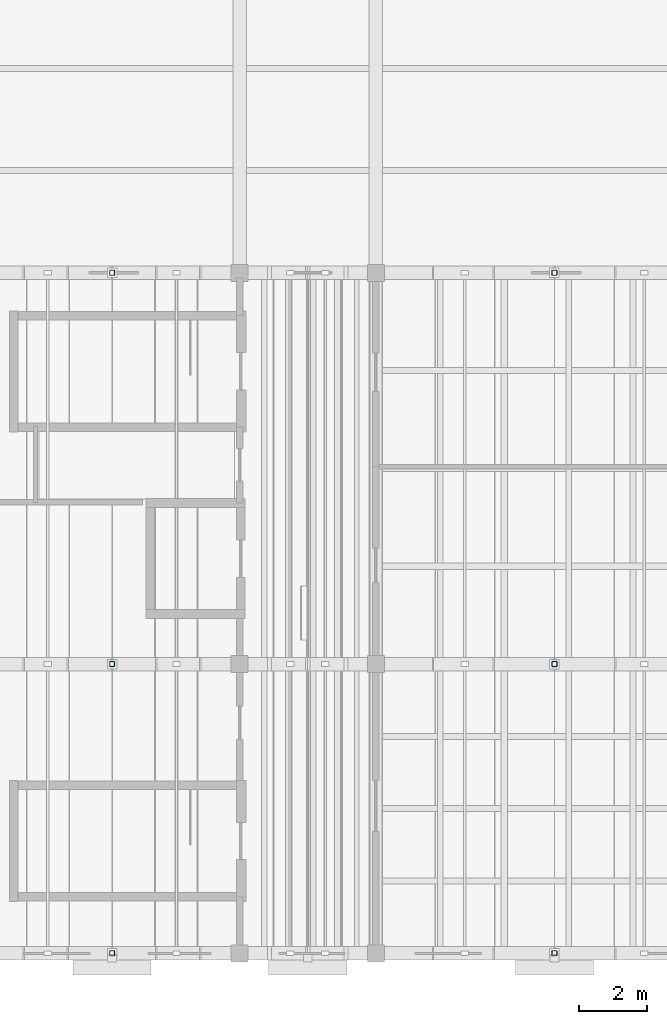
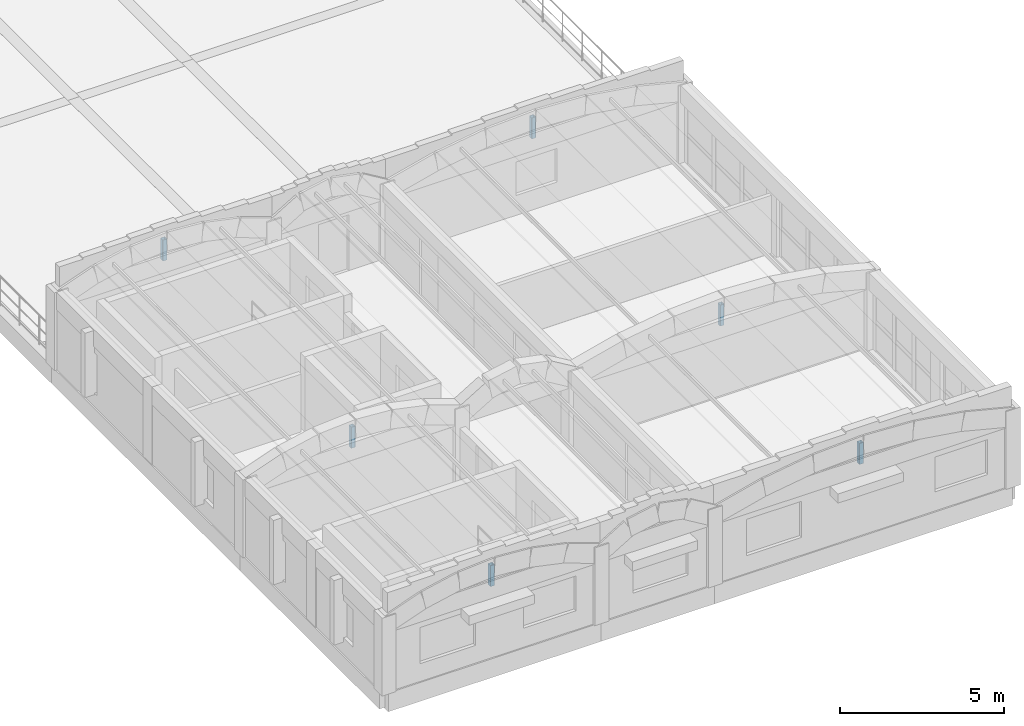
# One storey, part 18 of 40: 6 members.
"""IFC4 building model written with IfcOpenShell, lengths in metres."""

import ifcopenshell
import ifcopenshell.guid

model = None  # the IFC model being written
_history = None  # IfcOwnerHistory: only IFC2X3 demands one
_inside = {}  # id of a spatial element -> (the spatial element, [elements in it])
_under = {}  # id of a project, library or spatial element -> (it, [spatial elements below it])
_declared = {}  # id of a project -> (the project, [libraries it declares])
_typed = {}  # id of a type object -> (the type object, [elements of that type])
_made_of = {}  # id of a material, layer set ... -> (it, [elements and type objects made of it])


def new_model(schema):
    """Start an empty IFC model of exactly this schema.

    Asked for "IFC4X3", IfcOpenShell would pick the latest addendum, in which some entities
    have other attributes; the version numbers below select the first issue.
    IFC2X3 requires an IfcOwnerHistory on every rooted entity: one is made here for all.
    """
    global model, _history
    if schema == "IFC4X3":
        model = ifcopenshell.file(schema_version=(4, 3, 0, 0))
    else:
        model = ifcopenshell.file(schema=schema)
    _inside.clear()
    _under.clear()
    _declared.clear()
    _typed.clear()
    _made_of.clear()
    _history = None
    if model.schema == "IFC2X3":
        org = make("IfcOrganization", Name="unknown")
        user = make(
            "IfcPersonAndOrganization",
            ThePerson=make("IfcPerson", FamilyName="unknown"),
            TheOrganization=org,
        )
        app = make(
            "IfcApplication",
            ApplicationDeveloper=org,
            Version="unknown",
            ApplicationFullName="unknown",
            ApplicationIdentifier="unknown",
        )
        _history = make(
            "IfcOwnerHistory",
            OwningUser=user,
            OwningApplication=app,
            ChangeAction="ADDED",
            CreationDate=0,
        )
    return model


def make(cls, **values):
    """One entity of the class cls with the attributes given. An attribute that is None is left unset."""
    return model.create_entity(
        cls, **{name: value for name, value in values.items() if value is not None}
    )


def rooted(cls, **values):
    """An entity with a GlobalId (a new one), such as an element, a storey or a relation."""
    return make(cls, GlobalId=ifcopenshell.guid.new(), OwnerHistory=_history, **values)


def si_unit(unit_type, name, prefix=None):
    """IfcSIUnit, for example si_unit("LENGTHUNIT", "METRE", prefix="MILLI")."""
    return make("IfcSIUnit", UnitType=unit_type, Prefix=prefix, Name=name)


def assignment(units):
    """IfcUnitAssignment: the units of a project."""
    return None if units is None else make("IfcUnitAssignment", Units=units)


def point(xyz):
    """IfcCartesianPoint."""
    return None if xyz is None else make("IfcCartesianPoint", Coordinates=xyz)


def direction(xyz):
    """IfcDirection."""
    return None if xyz is None else make("IfcDirection", DirectionRatios=xyz)


def frame(location, z_axis=None, x_axis=None):
    """IfcAxis2Placement3D, a coordinate frame: its origin and axes. An axis left out is left unset."""
    return make(
        "IfcAxis2Placement3D",
        Location=point(location),
        Axis=direction(z_axis),
        RefDirection=direction(x_axis),
    )


def frame_2d(location, x_axis=None):
    """IfcAxis2Placement2D, a coordinate frame in the plane: its origin and x axis."""
    return make(
        "IfcAxis2Placement2D", Location=point(location), RefDirection=direction(x_axis)
    )


def origin():
    """The frame at (0, 0, 0) with its axes left unset."""
    return frame((0.0, 0.0, 0.0))


def origin_2d():
    """The frame at (0, 0) in the plane with its x axis left unset."""
    return frame_2d((0.0, 0.0))


def place(relative_to, where):
    """IfcLocalPlacement: puts the frame where relative to a parent placement (None: the world)."""
    return make(
        "IfcLocalPlacement", PlacementRelTo=relative_to, RelativePlacement=where
    )


def context(
    kind, dimensions, precision=None, world=None, true_north=None, identifier=None
):
    """IfcGeometricRepresentationContext, for example the 3D "Model" context."""
    return make(
        "IfcGeometricRepresentationContext",
        ContextIdentifier=identifier,
        ContextType=kind,
        CoordinateSpaceDimension=dimensions,
        Precision=precision,
        WorldCoordinateSystem=world,
        TrueNorth=true_north,
    )


def subcontext(parent, identifier, kind, view, scale=None):
    """IfcGeometricRepresentationSubContext, for example "Body" below "Model"."""
    return make(
        "IfcGeometricRepresentationSubContext",
        ContextIdentifier=identifier,
        ContextType=kind,
        ParentContext=parent,
        TargetScale=scale,
        TargetView=view,
    )


def project(units=None, contexts=None):
    """IfcProject with its units and contexts."""
    return rooted(
        "IfcProject",
        Name="project",
        RepresentationContexts=contexts,
        UnitsInContext=assignment(units),
    )


def spatial(cls, under=None, at=None, **own):
    """A site, building, storey or space (cls), placed at a placement, below another one or the project."""
    s = rooted(cls, ObjectPlacement=at, **own)
    if under is not None:
        _under.setdefault(under.id(), (under, []))[1].append(s)
    return s


def profile(cls, at=None, kind="AREA", **sizes):
    """A parametric profile (cls). Its sizes go by their IFC names, for example OverallWidth=200.0."""
    return make(cls, ProfileType=kind, Position=at, **sizes)


def hollow_rectangle(**sizes):
    """IfcRectangleHollowProfileDef."""
    return profile("IfcRectangleHollowProfileDef", **sizes)


def extrude(swept, where, along, depth):
    """IfcExtrudedAreaSolid: the profile swept, set in the frame where, extruded along a direction by depth."""
    return make(
        "IfcExtrudedAreaSolid",
        SweptArea=swept,
        Position=where,
        ExtrudedDirection=direction(along),
        Depth=depth,
    )


def shape(context_of_items, identifier, shape_type, items):
    """IfcShapeRepresentation: the items that make up one representation, for example the "Body"."""
    return make(
        "IfcShapeRepresentation",
        ContextOfItems=context_of_items,
        RepresentationIdentifier=identifier,
        RepresentationType=shape_type,
        Items=items,
    )


def material(Name=None, Category=None):
    """IfcMaterial."""
    return make("IfcMaterial", Name=Name, Category=Category)


def material_profile(
    of_material, cross_section, Name=None, Category=None, Priority=None
):
    """IfcMaterialProfile: a cross section and its material."""
    return make(
        "IfcMaterialProfile",
        Name=Name,
        Material=of_material,
        Profile=cross_section,
        Priority=Priority,
        Category=Category,
    )


def profile_set(profiles, Name=None, composite=None):
    """IfcMaterialProfileSet."""
    return make(
        "IfcMaterialProfileSet",
        Name=Name,
        MaterialProfiles=profiles,
        CompositeProfile=composite,
    )


def made_of(thing, what):
    """Note that an element or type object is made of a material, layer set ...; save() writes the relation."""
    if what is not None:
        _made_of.setdefault(what.id(), (what, []))[1].append(thing)
    return thing


def type_object(cls, material=None, **own):
    """A type object (cls), such as IfcWallType, which elements share."""
    return made_of(rooted(cls, **own), material)


def element(
    cls,
    number,
    at=None,
    inside=None,
    cuts=None,
    type_object=None,
    material=None,
    context=None,
    identifier="Body",
    shape_type=None,
    held_by="IfcProductDefinitionShape",
    body=None,
    shapes=None,
    **own,
):
    """One element of the class cls, such as IfcWall. Its Tag is "e" and its number.

    at: its placement. inside: the storey or other place that contains it. cuts: it is an
    opening in that element (IfcRelVoidsElement). A single representation is given by context,
    identifier, shape_type and body (its items); several are given by shapes. held_by: the class
    of the entity that holds the representations. save() writes the other relations.
    """
    e = rooted(cls, Tag="e%d" % number, ObjectPlacement=at, **own)
    if body is not None:
        shapes = [shape(context, identifier, shape_type, body)]
    if shapes is not None:
        e.Representation = make(held_by, Representations=shapes)
    if inside is not None:
        _inside.setdefault(inside.id(), (inside, []))[1].append(e)
    if cuts is not None:
        rooted(
            "IfcRelVoidsElement", RelatingBuildingElement=cuts, RelatedOpeningElement=e
        )
    if type_object is not None:
        _typed.setdefault(type_object.id(), (type_object, []))[1].append(e)
    return made_of(e, material)


def aggregate(whole, parts):
    """IfcRelAggregates: a whole, such as a stair, and the parts it consists of."""
    return rooted("IfcRelAggregates", RelatingObject=whole, RelatedObjects=parts)


def save(model, path):
    """Write the relations noted so far, then the file.

    IfcRelAggregates (storeys below a building ...), IfcRelContainedInSpatialStructure (elements
    in a storey), IfcRelDefinesByType, IfcRelAssociatesMaterial and IfcRelDeclares: one each for
    every whole, place, type object, material and project.
    """
    for whole, parts in _under.values():
        aggregate(whole, parts)
    for where, things in _inside.values():
        rooted(
            "IfcRelContainedInSpatialStructure",
            RelatedElements=things,
            RelatingStructure=where,
        )
    for kind, things in _typed.values():
        rooted("IfcRelDefinesByType", RelatedObjects=things, RelatingType=kind)
    for what, things in _made_of.values():
        rooted("IfcRelAssociatesMaterial", RelatedObjects=things, RelatingMaterial=what)
    for by, libraries in _declared.values():
        rooted("IfcRelDeclares", RelatingContext=by, RelatedDefinitions=libraries)
    model.write(path)


model = new_model("IFC4")

# Units and contexts
model_context = context("Model", 3, precision=1e-05, world=origin(), true_north=direction((0.0, 1.0)))
body_context = subcontext(model_context, "Body", "Model", "MODEL_VIEW")
ifc_project = project(units=[si_unit("LENGTHUNIT", "METRE"), si_unit("AREAUNIT", "SQUARE_METRE"), si_unit("VOLUMEUNIT", "CUBIC_METRE"), si_unit("PLANEANGLEUNIT", "RADIAN"), si_unit("MASSUNIT", "GRAM", prefix="KILO")], contexts=[model_context])

# Site, building, storey
site_placement = place(None, origin())
site = spatial("IfcSite", under=ifc_project, at=site_placement, CompositionType="ELEMENT")
building_placement = place(site_placement, origin())
building = spatial("IfcBuilding", under=site, at=building_placement, Name="Trellovar Central Fire Station", CompositionType="ELEMENT")
storey_placement = place(building_placement, frame((0.0, 0.0, 12.75)))
storey = spatial("IfcBuildingStorey", under=building, at=storey_placement, Name="L04", CompositionType="ELEMENT", Elevation=12.75)

# Members
ifc_material = material(Name="Steel ASTM A500 Grade C", Category="steel")
ifc_material_profile = material_profile(ifc_material, hollow_rectangle(XDim=0.15234375, YDim=0.15234375, WallThickness=0.0087890625, InnerFilletRadius=0.0087890625, OuterFilletRadius=0.017822265625, at=origin_2d()), Name="HSS6X6X3/8")
ifc_profile_set = profile_set([ifc_material_profile], Name="Steel ASTM A500 Grade C")
member_type = type_object("IfcMemberType", Name="MEM-ST1", PredefinedType="STRUT", material=ifc_profile_set)
for number, where, z_axis, x_axis, name in (
    (1, (4.75, 9.0, 2.60009765625), (0.0, 0.0, 1.0), (1.0, 0.0, 0.0), "V4 Catalan vault apex post 1"),
    (2, (4.75, 17.5, 2.60009765625), (0.0, 0.0, 1.0), (1.0, 0.0, 0.0), "V4 Catalan vault apex post 1"),
    (3, (4.75, 29.0, 2.60009765625), (0.0, 0.0, 1.0), (1.0, 0.0, 0.0), "V4 Catalan vault apex post 1"),
    (4, (17.75, 9.0, 2.60009765625), (0.0, 0.0, 1.0), (1.0, 0.0, 0.0), "V4 Catalan vault apex post 3"),
    (5, (17.75, 17.5, 2.60009765625), (0.0, 0.0, 1.0), (1.0, 0.0, 0.0), "V4 Catalan vault apex post 3"),
    (6, (17.75, 29.0, 2.60009765625), (0.0, 0.0, 1.0), (1.0, 0.0, 0.0), "V4 Catalan vault apex post 3"),
):
    element("IfcMember", number, at=place(storey_placement, frame(where, z_axis=z_axis, x_axis=x_axis)), inside=storey, type_object=member_type, Name=name, PredefinedType="STRUT", context=body_context, shape_type="SweptSolid", body=[
        extrude(hollow_rectangle(XDim=0.15234375, YDim=0.15234375, WallThickness=0.0087890625, InnerFilletRadius=0.0087890625, OuterFilletRadius=0.017822265625, at=origin_2d()), origin(), (0.0, 0.0, 1.0), 0.77978515625),
    ])

save(model, "model.ifc")
